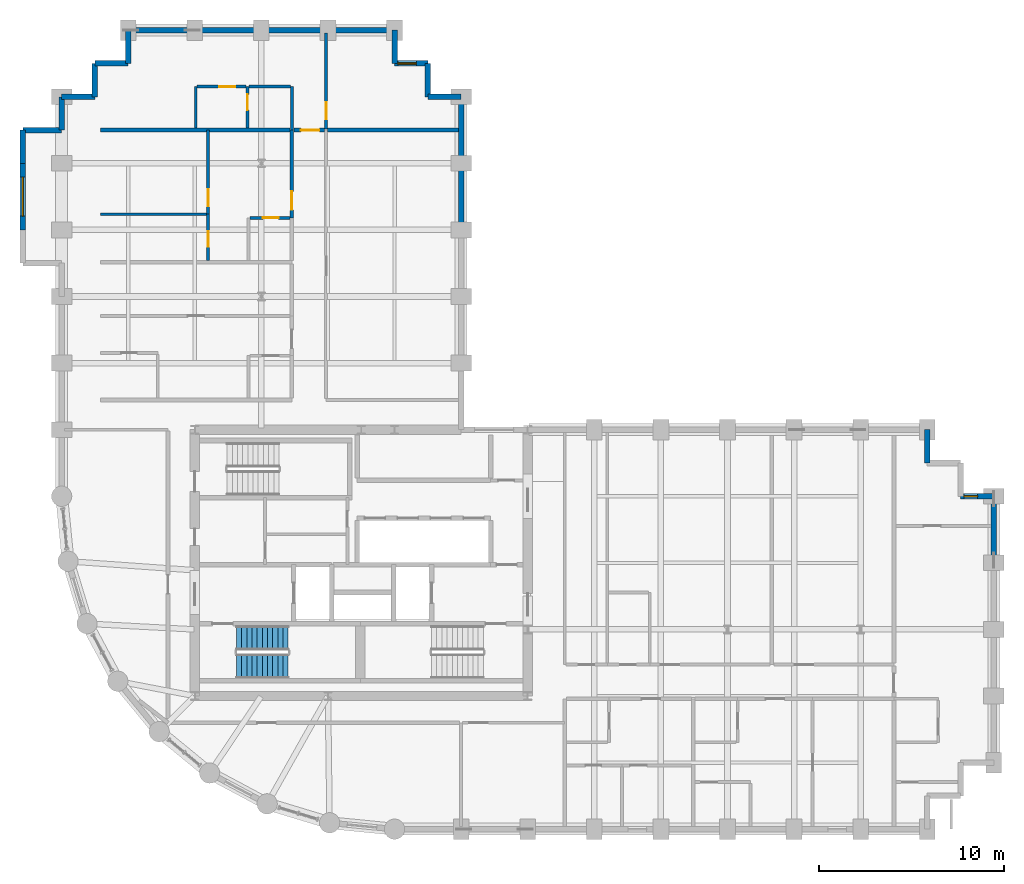
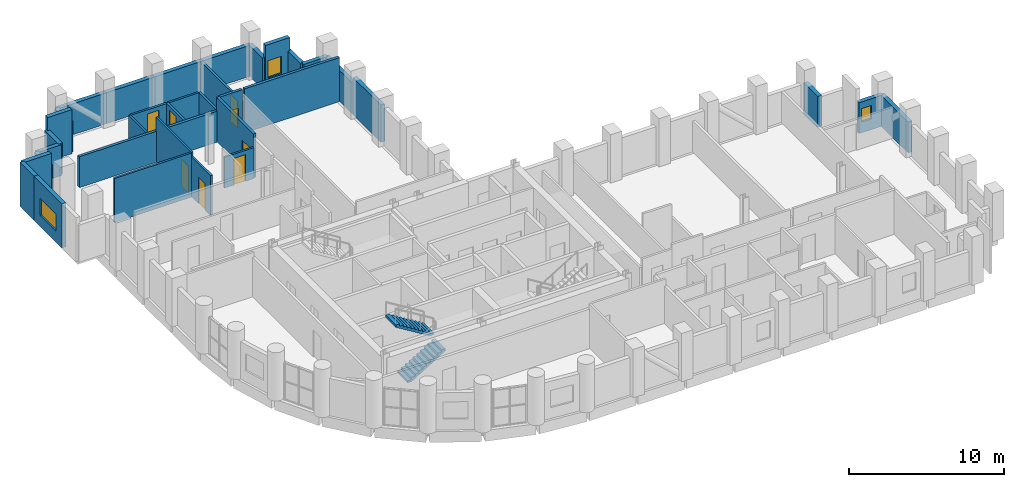
# One storey, part 11 of 13: 35 walls, 8 doors, 3 windows, 2 stair flights, 11 openings, 1 element without a shape of its own.
"""IFC4 building model written with IfcOpenShell, lengths in metres."""

from ifc_helpers import new_model, si_unit, direction, frame, frame_2d, origin, place, context, subcontext, project, spatial, polyline, rectangle, outline, extrude, material, layer, layer_set, type_object, element, fill, aggregate, save


model = new_model("IFC4")

# Units and contexts
model_context = context("Model", 3, precision=1e-05, world=origin(), true_north=direction((0.0, 1.0)))
body_context = subcontext(model_context, "Body", "Model", "MODEL_VIEW")
ifc_project = project(units=[si_unit("LENGTHUNIT", "METRE"), si_unit("AREAUNIT", "SQUARE_METRE"), si_unit("VOLUMEUNIT", "CUBIC_METRE"), si_unit("PLANEANGLEUNIT", "RADIAN"), si_unit("MASSUNIT", "GRAM", prefix="KILO")], contexts=[model_context])

# Site, building, storey
site_placement = place(None, origin())
site = spatial("IfcSite", under=ifc_project, at=site_placement, CompositionType="ELEMENT")
building_placement = place(site_placement, origin())
building = spatial("IfcBuilding", under=site, at=building_placement, Name="Solnavia Interchange Tower", CompositionType="ELEMENT")
storey_placement = place(building_placement, frame((0.0, 0.0, 123.800048828125)))
storey = spatial("IfcBuildingStorey", under=building, at=storey_placement, Name="L30", CompositionType="ELEMENT", Elevation=123.800048828125)

# Wall, opening, door
ifc_material_1 = material(Name="Gypsum Acoustic Twin-Stud & Mineral Wool", Category="gypsum")
ifc_layer_1 = layer(ifc_material_1, 0.199951171875)
ifc_layer_set_1 = layer_set([ifc_layer_1], Name="Gypsum Acoustic Twin-Stud & Mineral Wool")
wall_type_1 = type_object("IfcWallType", Name="Wall-ApartmentParty-200", PredefinedType="PARTITIONING", material=ifc_layer_set_1)
wall_1_placement = place(storey_placement, frame((19.64990234375, 36.64990234375, 0.0), z_axis=(0.0, 0.0, 1.0), x_axis=(0.0, 1.0, 0.0)))
wall_1 = element("IfcWall", 1, at=wall_1_placement, inside=storey, type_object=wall_type_1, Name="PTW-L30-55 Interior partition wall", PredefinedType="PARTITIONING", context=body_context, shape_type="SweptSolid", body=[
    extrude(rectangle(XDim=4.75, YDim=0.199951171875, at=frame_2d((2.375, 0.0))), origin(), (0.0, 0.0, 1.0), 3.46484375),
])
opening_1_placement = place(wall_1_placement, frame((0.43994140625, 0.0, 0.0)))
opening_1 = element("IfcOpeningElement", 2, at=opening_1_placement, cuts=wall_1, Name="Opening DR-06", PredefinedType="OPENING", context=body_context, shape_type="SweptSolid", body=[
    extrude(rectangle(XDim=1.0, YDim=2.10009765625, at=frame_2d((0.5, 1.050048828125))), frame((0.0, 0.10986328125, 0.0), z_axis=(0.0, -1.0, 0.0), x_axis=(1.0, 0.0, 0.0)), (0.0, 0.0, 1.0), 0.219970703125),
])
ifc_material_2 = material(Name="Engineered Timber Acoustic Fire Door", Category="wood")
door_type_1 = type_object("IfcDoorType", Name="Door-FlatEntry-1000x2100", OperationType="SINGLE_SWING_LEFT", PredefinedType="DOOR", material=ifc_material_2)
door_1_placement = place(opening_1_placement, origin())
door_1 = element("IfcDoor", 3, at=door_1_placement, inside=storey, type_object=door_type_1, Name="DR-L30-25 Interior room door", OperationType="SINGLE_SWING_RIGHT", OverallHeight=2.10009765625, OverallWidth=1.0, PredefinedType="DOOR", context=body_context, shape_type="SweptSolid", body=[
    extrude(rectangle(XDim=1.0, YDim=2.10009765625, at=frame_2d((0.5, 1.050048828125))), frame((0.0, 0.02490234375, 0.0), z_axis=(0.0, -1.0, 0.0), x_axis=(1.0, 0.0, 0.0)), (0.0, 0.0, 1.0), 0.050048828125),
])
fill(opening_1, door_1)

# Walls
wall_2_placement = place(storey_placement, frame((9.300048828125, 41.39990234375, 0.0), z_axis=(0.0, 0.0, 1.0), x_axis=(1.0, 0.0, 0.0)))
element("IfcWall", 4, at=wall_2_placement, inside=storey, type_object=wall_type_1, Name="PTW-L30-61 Interior partition wall", PredefinedType="PARTITIONING", context=body_context, shape_type="SweptSolid", body=[
    extrude(rectangle(XDim=10.245849609375, YDim=0.199951171875, at=frame_2d((5.123046875, 0.0))), origin(), (0.0, 0.0, 1.0), 2.429931640625),
])
wall_3_placement = place(storey_placement, frame((21.5791015625, 41.39990234375, 0.0), z_axis=(0.0, 0.0, 1.0), x_axis=(1.0, 0.0, 0.0)))
element("IfcWall", 5, at=wall_3_placement, inside=storey, type_object=wall_type_1, Name="PTW-L30-62 Interior partition wall", PredefinedType="PARTITIONING", context=body_context, shape_type="SweptSolid", body=[
    extrude(rectangle(XDim=7.06689453125, YDim=0.199951171875, at=frame_2d((3.533447265625, 0.0))), origin(), (0.0, 0.0, 1.0), 3.46484375),
])

# Wall, opening, door
wall_4_placement = place(storey_placement, frame((19.75390625, 41.39990234375, 0.0), z_axis=(0.0, 0.0, 1.0), x_axis=(1.0, 0.0, 0.0)))
wall_4 = element("IfcWall", 6, at=wall_4_placement, inside=storey, type_object=wall_type_1, Name="PTW-L30-63 Interior partition wall", PredefinedType="PARTITIONING", context=body_context, shape_type="SweptSolid", body=[
    extrude(rectangle(XDim=1.6669921875, YDim=0.199951171875, at=frame_2d((0.83349609375, 0.0))), origin(), (0.0, 0.0, 1.0), 3.46484375),
])
opening_2_placement = place(wall_4_placement, frame((0.3798828125, 0.0, 0.0)))
opening_2 = element("IfcOpeningElement", 7, at=opening_2_placement, cuts=wall_4, Name="Opening DR-06", PredefinedType="OPENING", context=body_context, shape_type="SweptSolid", body=[
    extrude(rectangle(XDim=1.0, YDim=2.10009765625, at=frame_2d((0.5, 1.050048828125))), frame((0.0, 0.10986328125, 0.0), z_axis=(0.0, -1.0, 0.0), x_axis=(1.0, 0.0, 0.0)), (0.0, 0.0, 1.0), 0.219970703125),
])
door_2_placement = place(opening_2_placement, origin())
door_2 = element("IfcDoor", 8, at=door_2_placement, inside=storey, type_object=door_type_1, Name="DR-L30-29 Interior room door", OperationType="SINGLE_SWING_LEFT", OverallHeight=2.10009765625, OverallWidth=1.0, PredefinedType="DOOR", context=body_context, shape_type="SweptSolid", body=[
    extrude(rectangle(XDim=1.0, YDim=2.10009765625, at=frame_2d((0.5, 1.050048828125))), frame((0.0, 0.02490234375, 0.0), z_axis=(0.0, -1.0, 0.0), x_axis=(1.0, 0.0, 0.0)), (0.0, 0.0, 1.0), 0.050048828125),
])
fill(opening_2, door_2)

# Wall
ifc_material_3 = material(Name="Concrete C40/50", Category="concrete")
ifc_layer_2 = layer(ifc_material_3, 0.300048828125)
ifc_layer_set_2 = layer_set([ifc_layer_2], Name="Concrete C40/50")
wall_type_2 = type_object("IfcWallType", Name="Wall-ExtSpandrel-300", PredefinedType="STANDARD", material=ifc_layer_set_2)
wall_5_placement = place(storey_placement, frame((57.60009765625, 21.60009765625, 0.0), z_axis=(0.0, 0.0, 1.0), x_axis=(0.0, -1.0, 0.0)))
element("IfcWall", 9, at=wall_5_placement, inside=storey, type_object=wall_type_2, Name="EXW-L30-16 Exterior precast spandrel wall", PredefinedType="STANDARD", context=body_context, shape_type="SweptSolid", body=[
    extrude(rectangle(XDim=3.60009765625, YDim=0.300048828125, at=frame_2d((1.800048828125, 0.0))), origin(), (0.0, 0.0, 1.0), 2.429931640625),
])

# Wall, opening, window
wall_6_placement = place(storey_placement, frame((55.800048828125, 21.60009765625, 0.0), z_axis=(0.0, 0.0, 1.0), x_axis=(1.0, 0.0, 0.0)))
wall_6 = element("IfcWall", 10, at=wall_6_placement, inside=storey, type_object=wall_type_2, Name="EXW-L30-17 Exterior precast spandrel wall", PredefinedType="STANDARD", context=body_context, shape_type="SweptSolid", body=[
    extrude(rectangle(XDim=1.800048828125, YDim=0.300048828125, at=frame_2d((0.89990234375, 0.0))), origin(), (0.0, 0.0, 1.0), 2.429931640625),
])
opening_3_placement = place(wall_6_placement, frame((0.179931640625, 0.0, 0.85009765625)))
opening_3 = element("IfcOpeningElement", 11, at=opening_3_placement, cuts=wall_6, Name="Opening WIN-08", PredefinedType="OPENING", context=body_context, shape_type="SweptSolid", body=[
    extrude(rectangle(XDim=0.75, YDim=1.050048828125, at=frame_2d((0.375, 0.52490234375))), frame((0.0, 0.16015625, 0.0), z_axis=(0.0, -1.0, 0.0), x_axis=(1.0, 0.0, 0.0)), (0.0, 0.0, 1.0), 0.320068359375),
])
ifc_material_4 = material(Name="Thermal-Break Aluminium & Low-E Glass", Category="aluminium")
window_type_1 = type_object("IfcWindowType", Name="Window-Bedroom-750x1050", PartitioningType="SINGLE_PANEL", PredefinedType="WINDOW", material=ifc_material_4)
window_1_placement = place(opening_3_placement, origin())
window_1 = element("IfcWindow", 12, at=window_1_placement, inside=storey, type_object=window_type_1, Name="WIN-L30-DW03 Dwelling bedroom window", OverallHeight=1.050048828125, OverallWidth=0.75, PartitioningType="SINGLE_PANEL", PredefinedType="WINDOW", context=body_context, shape_type="SweptSolid", body=[
    extrude(rectangle(XDim=0.75, YDim=1.050048828125, at=frame_2d((0.375, 0.52490234375))), frame((0.0, 0.030029296875, 0.0), z_axis=(0.0, -1.0, 0.0), x_axis=(1.0, 0.0, 0.0)), (0.0, 0.0, 1.0), 0.06005859375),
])
fill(opening_3, window_1)

# Walls
wall_7_placement = place(storey_placement, frame((54.0, 25.199951171875, 0.0), z_axis=(0.0, 0.0, 1.0), x_axis=(0.0, -1.0, 0.0)))
element("IfcWall", 13, at=wall_7_placement, inside=storey, type_object=wall_type_2, Name="EXW-L30-20 Exterior precast spandrel wall", PredefinedType="STANDARD", context=body_context, shape_type="SweptSolid", body=[
    extrude(rectangle(XDim=1.800048828125, YDim=0.300048828125, at=frame_2d((0.89990234375, 0.0))), origin(), (0.0, 0.0, 1.0), 2.429931640625),
])
wall_8_placement = place(storey_placement, frame((28.800048828125, 39.60009765625, 0.0), z_axis=(0.0, 0.0, 1.0), x_axis=(0.0, -1.0, 0.0)))
element("IfcWall", 14, at=wall_8_placement, inside=storey, type_object=wall_type_2, Name="EXW-L30-31 Exterior precast spandrel wall", PredefinedType="STANDARD", context=body_context, shape_type="SweptSolid", body=[
    extrude(rectangle(XDim=3.60009765625, YDim=0.300048828125, at=frame_2d((1.800048828125, 0.0))), origin(), (0.0, 0.0, 1.0), 2.929931640625),
])
wall_9_placement = place(storey_placement, frame((28.800048828125, 43.199951171875, 0.0), z_axis=(0.0, 0.0, 1.0), x_axis=(0.0, -1.0, 0.0)))
element("IfcWall", 15, at=wall_9_placement, inside=storey, type_object=wall_type_2, Name="EXW-L30-32 Exterior precast spandrel wall", PredefinedType="STANDARD", context=body_context, shape_type="SweptSolid", body=[
    extrude(rectangle(XDim=3.599853515625, YDim=0.300048828125, at=frame_2d((1.7998046875, 0.0))), origin(), (0.0, 0.0, 1.0), 2.429931640625),
])
for number, where, z_axis, x_axis, name in (
    (16, (27.0, 43.199951171875, 0.0), (0.0, 0.0, 1.0), (1.0, 0.0, 0.0), "EXW-L30-33 Exterior precast spandrel wall"),
    (17, (27.0, 43.199951171875, 0.0), (0.0, 0.0, 1.0), (0.0, 1.0, 0.0), "EXW-L30-34 Exterior precast spandrel wall"),
):
    element("IfcWall", number, at=place(storey_placement, frame(where, z_axis=z_axis, x_axis=x_axis)), inside=storey, type_object=wall_type_2, Name=name, PredefinedType="STANDARD", context=body_context, shape_type="SweptSolid", body=[
        extrude(rectangle(XDim=1.800048828125, YDim=0.300048828125, at=frame_2d((0.89990234375, 0.0))), origin(), (0.0, 0.0, 1.0), 2.429931640625),
    ])

# Wall, opening, window
wall_10_placement = place(storey_placement, frame((25.199951171875, 45.0, 0.0), z_axis=(0.0, 0.0, 1.0), x_axis=(1.0, 0.0, 0.0)))
wall_10 = element("IfcWall", 18, at=wall_10_placement, inside=storey, type_object=wall_type_2, Name="EXW-L30-35 Exterior precast spandrel wall", PredefinedType="STANDARD", context=body_context, shape_type="SweptSolid", body=[
    extrude(rectangle(XDim=1.800048828125, YDim=0.300048828125, at=frame_2d((0.89990234375, 0.0))), origin(), (0.0, 0.0, 1.0), 3.46484375),
])
opening_4_placement = place(wall_10_placement, frame((0.179931640625, 0.0, 0.85009765625)))
opening_4 = element("IfcOpeningElement", 19, at=opening_4_placement, cuts=wall_10, Name="Opening WIN-07", PredefinedType="OPENING", context=body_context, shape_type="SweptSolid", body=[
    extrude(rectangle(XDim=1.0, YDim=1.35009765625, at=frame_2d((0.5, 0.675048828125))), frame((0.0, 0.16015625, 0.0), z_axis=(0.0, -1.0, 0.0), x_axis=(1.0, 0.0, 0.0)), (0.0, 0.0, 1.0), 0.320068359375),
])
window_type_2 = type_object("IfcWindowType", Name="Window-Bedroom-1000x1350", PartitioningType="SINGLE_PANEL", PredefinedType="WINDOW", material=ifc_material_4)
window_2_placement = place(opening_4_placement, origin())
window_2 = element("IfcWindow", 20, at=window_2_placement, inside=storey, type_object=window_type_2, Name="WIN-L30-DW04 Dwelling bedroom window", OverallHeight=1.35009765625, OverallWidth=1.0, PartitioningType="SINGLE_PANEL", PredefinedType="WINDOW", context=body_context, shape_type="SweptSolid", body=[
    extrude(rectangle(XDim=1.0, YDim=1.35009765625, at=frame_2d((0.5, 0.675048828125))), frame((0.0, 0.030029296875, 0.0), z_axis=(0.0, -1.0, 0.0), x_axis=(1.0, 0.0, 0.0)), (0.0, 0.0, 1.0), 0.06005859375),
])
fill(opening_4, window_2)

# Walls
wall_11_placement = place(storey_placement, frame((25.199951171875, 45.0, 0.0), z_axis=(0.0, 0.0, 1.0), x_axis=(0.0, 1.0, 0.0)))
element("IfcWall", 21, at=wall_11_placement, inside=storey, type_object=wall_type_2, Name="EXW-L30-36 Exterior precast spandrel wall", PredefinedType="STANDARD", context=body_context, shape_type="SweptSolid", body=[
    extrude(rectangle(XDim=1.800048828125, YDim=0.300048828125, at=frame_2d((0.89990234375, 0.0))), origin(), (0.0, 0.0, 1.0), 2.429931640625),
])
wall_12_placement = place(storey_placement, frame((21.60009765625, 46.800048828125, 0.0), z_axis=(0.0, 0.0, 1.0), x_axis=(1.0, 0.0, 0.0)))
element("IfcWall", 22, at=wall_12_placement, inside=storey, type_object=wall_type_2, Name="EXW-L30-37 Exterior precast spandrel wall", PredefinedType="STANDARD", context=body_context, shape_type="SweptSolid", body=[
    extrude(rectangle(XDim=3.599853515625, YDim=0.300048828125, at=frame_2d((1.7998046875, 0.0))), origin(), (0.0, 0.0, 1.0), 2.429931640625),
])
for number, where, z_axis, x_axis, name in (
    (23, (18.0, 46.800048828125, 0.0), (0.0, 0.0, 1.0), (1.0, 0.0, 0.0), "EXW-L30-38 Exterior precast spandrel wall"),
    (24, (14.39990234375, 46.800048828125, 0.0), (0.0, 0.0, 1.0), (1.0, 0.0, 0.0), "EXW-L30-39 Exterior precast spandrel wall"),
):
    element("IfcWall", number, at=place(storey_placement, frame(where, z_axis=z_axis, x_axis=x_axis)), inside=storey, type_object=wall_type_2, Name=name, PredefinedType="STANDARD", context=body_context, shape_type="SweptSolid", body=[
        extrude(rectangle(XDim=3.60009765625, YDim=0.300048828125, at=frame_2d((1.800048828125, 0.0))), origin(), (0.0, 0.0, 1.0), 2.429931640625),
    ])
wall_13_placement = place(storey_placement, frame((10.800048828125, 46.800048828125, 0.0), z_axis=(0.0, 0.0, 1.0), x_axis=(1.0, 0.0, 0.0)))
element("IfcWall", 25, at=wall_13_placement, inside=storey, type_object=wall_type_2, Name="EXW-L30-40 Exterior precast spandrel wall", PredefinedType="STANDARD", context=body_context, shape_type="SweptSolid", body=[
    extrude(rectangle(XDim=3.599853515625, YDim=0.300048828125, at=frame_2d((1.7998046875, 0.0))), origin(), (0.0, 0.0, 1.0), 2.429931640625),
])
wall_14_placement = place(storey_placement, frame((10.800048828125, 45.0, 0.0), z_axis=(0.0, 0.0, 1.0), x_axis=(0.0, 1.0, 0.0)))
element("IfcWall", 26, at=wall_14_placement, inside=storey, type_object=wall_type_2, Name="EXW-L30-41 Exterior precast spandrel wall", PredefinedType="STANDARD", context=body_context, shape_type="SweptSolid", body=[
    extrude(rectangle(XDim=1.800048828125, YDim=0.300048828125, at=frame_2d((0.89990234375, 0.0))), origin(), (0.0, 0.0, 1.0), 2.429931640625),
])
wall_15_placement = place(storey_placement, frame((9.0, 45.0, 0.0), z_axis=(0.0, 0.0, 1.0), x_axis=(1.0, 0.0, 0.0)))
element("IfcWall", 27, at=wall_15_placement, inside=storey, type_object=wall_type_2, Name="EXW-L30-42 Exterior precast spandrel wall", PredefinedType="STANDARD", context=body_context, shape_type="SweptSolid", body=[
    extrude(rectangle(XDim=1.800048828125, YDim=0.300048828125, at=frame_2d((0.89990234375, 0.0))), origin(), (0.0, 0.0, 1.0), 3.46484375),
])
for number, where, z_axis, x_axis, name in (
    (28, (9.0, 43.199951171875, 0.0), (0.0, 0.0, 1.0), (0.0, 1.0, 0.0), "EXW-L30-43 Exterior precast spandrel wall"),
    (29, (7.199951171875, 43.199951171875, 0.0), (0.0, 0.0, 1.0), (1.0, 0.0, 0.0), "EXW-L30-44 Exterior precast spandrel wall"),
    (30, (7.199951171875, 41.39990234375, 0.0), (0.0, 0.0, 1.0), (0.0, 1.0, 0.0), "EXW-L30-45 Exterior precast spandrel wall"),
):
    element("IfcWall", number, at=place(storey_placement, frame(where, z_axis=z_axis, x_axis=x_axis)), inside=storey, type_object=wall_type_2, Name=name, PredefinedType="STANDARD", context=body_context, shape_type="SweptSolid", body=[
        extrude(rectangle(XDim=1.800048828125, YDim=0.300048828125, at=frame_2d((0.89990234375, 0.0))), origin(), (0.0, 0.0, 1.0), 2.429931640625),
    ])
wall_16_placement = place(storey_placement, frame((5.10009765625, 41.39990234375, 0.0), z_axis=(0.0, 0.0, 1.0), x_axis=(1.0, 0.0, 0.0)))
element("IfcWall", 31, at=wall_16_placement, inside=storey, type_object=wall_type_2, Name="EXW-L30-46 Exterior precast spandrel wall", PredefinedType="STANDARD", context=body_context, shape_type="SweptSolid", body=[
    extrude(rectangle(XDim=2.099853515625, YDim=0.300048828125, at=frame_2d((1.0498046875, 0.0))), origin(), (0.0, 0.0, 1.0), 3.46484375),
])
wall_17_placement = place(storey_placement, frame((5.10009765625, 39.60009765625, 0.0), z_axis=(0.0, 0.0, 1.0), x_axis=(0.0, 1.0, 0.0)))
element("IfcWall", 32, at=wall_17_placement, inside=storey, type_object=wall_type_2, Name="EXW-L30-47 Exterior precast spandrel wall", PredefinedType="STANDARD", context=body_context, shape_type="SweptSolid", body=[
    extrude(rectangle(XDim=1.7998046875, YDim=0.300048828125, at=frame_2d((0.89990234375, 0.0))), origin(), (0.0, 0.0, 1.0), 3.46484375),
])

# Wall, opening, window
wall_18_placement = place(storey_placement, frame((5.10009765625, 36.0, 0.0), z_axis=(0.0, 0.0, 1.0), x_axis=(0.0, 1.0, 0.0)))
wall_18 = element("IfcWall", 33, at=wall_18_placement, inside=storey, type_object=wall_type_2, Name="EXW-L30-48 Exterior precast spandrel wall", PredefinedType="STANDARD", context=body_context, shape_type="SweptSolid", body=[
    extrude(rectangle(XDim=3.60009765625, YDim=0.300048828125, at=frame_2d((1.800048828125, 0.0))), origin(), (0.0, 0.0, 1.0), 3.46484375),
])
opening_5_placement = place(wall_18_placement, frame((0.75, 0.0, 0.85009765625)))
opening_5 = element("IfcOpeningElement", 34, at=opening_5_placement, cuts=wall_18, Name="Opening WIN-01", PredefinedType="OPENING", context=body_context, shape_type="SweptSolid", body=[
    extrude(rectangle(XDim=2.10009765625, YDim=1.35009765625, at=frame_2d((1.050048828125, 0.675048828125))), frame((0.0, 0.16015625, 0.0), z_axis=(0.0, -1.0, 0.0), x_axis=(1.0, 0.0, 0.0)), (0.0, 0.0, 1.0), 0.320068359375),
])
window_type_3 = type_object("IfcWindowType", Name="Window-Ribbon-2100x1350", PartitioningType="SINGLE_PANEL", PredefinedType="WINDOW", material=ifc_material_4)
window_3_placement = place(opening_5_placement, origin())
window_3 = element("IfcWindow", 35, at=window_3_placement, inside=storey, type_object=window_type_3, Name="WIN-L30-48 Facade ribbon window", OverallHeight=1.35009765625, OverallWidth=2.10009765625, PartitioningType="SINGLE_PANEL", PredefinedType="WINDOW", context=body_context, shape_type="SweptSolid", body=[
    extrude(rectangle(XDim=2.10009765625, YDim=1.35009765625, at=frame_2d((1.050048828125, 0.675048828125))), frame((0.0, 0.030029296875, 0.0), z_axis=(0.0, -1.0, 0.0), x_axis=(1.0, 0.0, 0.0)), (0.0, 0.0, 1.0), 0.06005859375),
])
fill(opening_5, window_3)

# Wall, opening, door
ifc_material_5 = material(Name="Gypsum Plasterboard & Steel Stud", Category="steel")
ifc_layer_3 = layer(ifc_material_5, 0.14990234375)
ifc_layer_set_3 = layer_set([ifc_layer_3], Name="Gypsum Plasterboard & Steel Stud")
wall_type_3 = type_object("IfcWallType", Name="Wall-Partition-150", PredefinedType="PARTITIONING", material=ifc_layer_set_3)
wall_19_placement = place(storey_placement, frame((15.1201171875, 36.85009765625, 0.0), z_axis=(0.0, 0.0, 1.0), x_axis=(0.0, 1.0, 0.0)))
wall_19 = element("IfcWall", 36, at=wall_19_placement, inside=storey, type_object=wall_type_3, Name="PTW-L30-56 Interior partition wall", PredefinedType="PARTITIONING", context=body_context, shape_type="SweptSolid", body=[
    extrude(rectangle(XDim=4.5498046875, YDim=0.14990234375, at=frame_2d((2.27490234375, 0.0))), origin(), (0.0, 0.0, 1.0), 3.46484375),
])
opening_6_placement = place(wall_19_placement, frame((0.43896484375, 0.0, 0.0)))
opening_6 = element("IfcOpeningElement", 37, at=opening_6_placement, cuts=wall_19, Name="Opening DR-09", PredefinedType="OPENING", context=body_context, shape_type="SweptSolid", body=[
    extrude(rectangle(XDim=0.89990234375, YDim=2.10009765625, at=frame_2d((0.449951171875, 1.050048828125))), frame((0.0, 0.0849609375, 0.0), z_axis=(0.0, -1.0, 0.0), x_axis=(1.0, 0.0, 0.0)), (0.0, 0.0, 1.0), 0.169921875),
])
ifc_material_6 = material(Name="Engineered Oak Veneer Door", Category="wood")
door_type_2 = type_object("IfcDoorType", Name="Door-Internal-900x2100", OperationType="SINGLE_SWING_LEFT", PredefinedType="DOOR", material=ifc_material_6)
door_3_placement = place(opening_6_placement, origin())
door_3 = element("IfcDoor", 38, at=door_3_placement, inside=storey, type_object=door_type_2, Name="DR-L30-26 Interior room door", OperationType="SINGLE_SWING_LEFT", OverallHeight=2.10009765625, OverallWidth=0.89990234375, PredefinedType="DOOR", context=body_context, shape_type="SweptSolid", body=[
    extrude(rectangle(XDim=0.89990234375, YDim=2.10009765625, at=frame_2d((0.449951171875, 1.050048828125))), frame((0.0, 0.02490234375, 0.0), z_axis=(0.0, -1.0, 0.0), x_axis=(1.0, 0.0, 0.0)), (0.0, 0.0, 1.0), 0.050048828125),
])
fill(opening_6, door_3)

wall_20_placement = place(storey_placement, frame((21.5, 41.446044921875, 0.0), z_axis=(0.0, 0.0, 1.0), x_axis=(0.0, 1.0, 0.0)))
wall_20 = element("IfcWall", 39, at=wall_20_placement, inside=storey, type_object=wall_type_3, Name="PTW-L30-67 Interior partition wall", PredefinedType="PARTITIONING", context=body_context, shape_type="SweptSolid", body=[
    extrude(rectangle(XDim=5.199951171875, YDim=0.14990234375, at=frame_2d((2.60009765625, 0.0))), origin(), (0.0, 0.0, 1.0), 2.429931640625),
])
opening_7_placement = place(wall_20_placement, frame((0.550048828125, 0.0, 0.0)))
opening_7 = element("IfcOpeningElement", 40, at=opening_7_placement, cuts=wall_20, Name="Opening DR-09", PredefinedType="OPENING", context=body_context, shape_type="SweptSolid", body=[
    extrude(rectangle(XDim=0.89990234375, YDim=2.10009765625, at=frame_2d((0.449951171875, 1.050048828125))), frame((0.0, 0.0849609375, 0.0), z_axis=(0.0, -1.0, 0.0), x_axis=(1.0, 0.0, 0.0)), (0.0, 0.0, 1.0), 0.169921875),
])
door_4_placement = place(opening_7_placement, origin())
door_4 = element("IfcDoor", 41, at=door_4_placement, inside=storey, type_object=door_type_2, Name="DR-L30-31 Interior room door", OperationType="SINGLE_SWING_RIGHT", OverallHeight=2.10009765625, OverallWidth=0.89990234375, PredefinedType="DOOR", context=body_context, shape_type="SweptSolid", body=[
    extrude(rectangle(XDim=0.89990234375, YDim=2.10009765625, at=frame_2d((0.449951171875, 1.050048828125))), frame((0.0, 0.02490234375, 0.0), z_axis=(0.0, -1.0, 0.0), x_axis=(1.0, 0.0, 0.0)), (0.0, 0.0, 1.0), 0.050048828125),
])
fill(opening_7, door_4)

ifc_material_7 = material(Name="Moisture-Resistant Gypsum & Steel Stud", Category="steel")
ifc_layer_4 = layer(ifc_material_7, 0.14990234375)
ifc_layer_set_4 = layer_set([ifc_layer_4], Name="Moisture-Resistant Gypsum & Steel Stud")
wall_type_4 = type_object("IfcWallType", Name="Wall-WetRoom-150", PredefinedType="PARTITIONING", material=ifc_layer_set_4)
wall_21_placement = place(storey_placement, frame((17.37890625, 36.64990234375, 0.0), z_axis=(0.0, 0.0, 1.0), x_axis=(1.0, 0.0, 0.0)))
wall_21 = element("IfcWall", 42, at=wall_21_placement, inside=storey, type_object=wall_type_4, Name="PTW-L30-54 Interior partition wall", PredefinedType="PARTITIONING", context=body_context, shape_type="SweptSolid", body=[
    extrude(rectangle(XDim=2.1669921875, YDim=0.14990234375, at=frame_2d((1.08349609375, 0.0))), origin(), (0.0, 0.0, 1.0), 2.429931640625),
])
opening_8_placement = place(wall_21_placement, frame((0.700927734375, 0.0, 0.0)))
opening_8 = element("IfcOpeningElement", 43, at=opening_8_placement, cuts=wall_21, Name="Opening DR-10", PredefinedType="OPENING", context=body_context, shape_type="SweptSolid", body=[
    extrude(rectangle(XDim=0.85009765625, YDim=2.10009765625, at=frame_2d((0.425048828125, 1.050048828125))), frame((0.0, 0.0849609375, 0.0), z_axis=(0.0, -1.0, 0.0), x_axis=(1.0, 0.0, 0.0)), (0.0, 0.0, 1.0), 0.169921875),
])
ifc_material_8 = material(Name="Moisture-Resistant Timber Door", Category="wood")
door_type_3 = type_object("IfcDoorType", Name="Door-Bathroom-850x2100", OperationType="SINGLE_SWING_RIGHT", PredefinedType="DOOR", material=ifc_material_8)
door_5_placement = place(opening_8_placement, origin())
door_5 = element("IfcDoor", 44, at=door_5_placement, inside=storey, type_object=door_type_3, Name="DR-L30-24 Interior room door", OperationType="SINGLE_SWING_RIGHT", OverallHeight=2.10009765625, OverallWidth=0.85009765625, PredefinedType="DOOR", context=body_context, shape_type="SweptSolid", body=[
    extrude(rectangle(XDim=0.85009765625, YDim=2.10009765625, at=frame_2d((0.425048828125, 1.050048828125))), frame((0.0, 0.02490234375, 0.0), z_axis=(0.0, -1.0, 0.0), x_axis=(1.0, 0.0, 0.0)), (0.0, 0.0, 1.0), 0.050048828125),
])
fill(opening_8, door_5)

wall_22_placement = place(storey_placement, frame((15.1201171875, 34.35400390625, 0.0), z_axis=(0.0, 0.0, 1.0), x_axis=(0.0, 1.0, 0.0)))
wall_22 = element("IfcWall", 45, at=wall_22_placement, inside=storey, type_object=wall_type_4, Name="PTW-L30-57 Interior partition wall", PredefinedType="PARTITIONING", context=body_context, shape_type="SweptSolid", body=[
    extrude(rectangle(XDim=2.49609375, YDim=0.14990234375, at=frame_2d((1.248046875, 0.0))), origin(), (0.0, 0.0, 1.0), 3.14990234375),
])
opening_9_placement = place(wall_22_placement, frame((0.73095703125, 0.0, 0.0)))
opening_9 = element("IfcOpeningElement", 46, at=opening_9_placement, cuts=wall_22, Name="Opening DR-10", PredefinedType="OPENING", context=body_context, shape_type="SweptSolid", body=[
    extrude(rectangle(XDim=0.85009765625, YDim=2.10009765625, at=frame_2d((0.425048828125, 1.050048828125))), frame((0.0, 0.0849609375, 0.0), z_axis=(0.0, -1.0, 0.0), x_axis=(1.0, 0.0, 0.0)), (0.0, 0.0, 1.0), 0.169921875),
])
door_6_placement = place(opening_9_placement, origin())
door_6 = element("IfcDoor", 47, at=door_6_placement, inside=storey, type_object=door_type_3, Name="DR-L30-27 Interior room door", OperationType="SINGLE_SWING_RIGHT", OverallHeight=2.10009765625, OverallWidth=0.85009765625, PredefinedType="DOOR", context=body_context, shape_type="SweptSolid", body=[
    extrude(rectangle(XDim=0.85009765625, YDim=2.10009765625, at=frame_2d((0.425048828125, 1.050048828125))), frame((0.0, 0.02490234375, 0.0), z_axis=(0.0, -1.0, 0.0), x_axis=(1.0, 0.0, 0.0)), (0.0, 0.0, 1.0), 0.050048828125),
])
fill(opening_9, door_6)

# Walls
wall_23_placement = place(storey_placement, frame((9.300048828125, 36.85009765625, 0.0), z_axis=(0.0, 0.0, 1.0), x_axis=(1.0, 0.0, 0.0)))
element("IfcWall", 48, at=wall_23_placement, inside=storey, type_object=wall_type_4, Name="PTW-L30-58 Interior partition wall", PredefinedType="PARTITIONING", context=body_context, shape_type="SweptSolid", body=[
    extrude(rectangle(XDim=5.740966796875, YDim=0.14990234375, at=frame_2d((2.87060546875, 0.0))), origin(), (0.0, 0.0, 1.0), 3.46484375),
])
wall_24_placement = place(storey_placement, frame((19.64990234375, 41.39990234375, 0.0), z_axis=(0.0, 0.0, 1.0), x_axis=(0.0, 1.0, 0.0)))
element("IfcWall", 49, at=wall_24_placement, inside=storey, type_object=wall_type_4, Name="PTW-L30-64 Interior partition wall", PredefinedType="PARTITIONING", context=body_context, shape_type="SweptSolid", body=[
    extrude(rectangle(XDim=2.35009765625, YDim=0.14990234375, at=frame_2d((1.175048828125, 0.0))), origin(), (0.0, 0.0, 1.0), 2.429931640625),
])

# Wall, opening, door
wall_25_placement = place(storey_placement, frame((17.25, 41.50390625, 0.0), z_axis=(0.0, 0.0, 1.0), x_axis=(0.0, 1.0, 0.0)))
wall_25 = element("IfcWall", 50, at=wall_25_placement, inside=storey, type_object=wall_type_4, Name="PTW-L30-65 Interior partition wall", PredefinedType="PARTITIONING", context=body_context, shape_type="SweptSolid", body=[
    extrude(rectangle(XDim=2.24609375, YDim=0.14990234375, at=frame_2d((1.123046875, 0.0))), origin(), (0.0, 0.0, 1.0), 2.429931640625),
])
opening_10_placement = place(wall_25_placement, frame((0.97607421875, 0.0, 0.0)))
opening_10 = element("IfcOpeningElement", 51, at=opening_10_placement, cuts=wall_25, Name="Opening DR-10", PredefinedType="OPENING", context=body_context, shape_type="SweptSolid", body=[
    extrude(rectangle(XDim=0.85009765625, YDim=2.10009765625, at=frame_2d((0.425048828125, 1.050048828125))), frame((0.0, 0.0849609375, 0.0), z_axis=(0.0, -1.0, 0.0), x_axis=(1.0, 0.0, 0.0)), (0.0, 0.0, 1.0), 0.169921875),
])
door_7_placement = place(opening_10_placement, origin())
door_7 = element("IfcDoor", 52, at=door_7_placement, inside=storey, type_object=door_type_3, Name="DR-L30-30 Interior room door", OperationType="SINGLE_SWING_LEFT", OverallHeight=2.10009765625, OverallWidth=0.85009765625, PredefinedType="DOOR", context=body_context, shape_type="SweptSolid", body=[
    extrude(rectangle(XDim=0.85009765625, YDim=2.10009765625, at=frame_2d((0.425048828125, 1.050048828125))), frame((0.0, 0.02490234375, 0.0), z_axis=(0.0, -1.0, 0.0), x_axis=(1.0, 0.0, 0.0)), (0.0, 0.0, 1.0), 0.050048828125),
])
fill(opening_10, door_7)

# Walls
wall_26_placement = place(storey_placement, frame((17.3291015625, 43.75, 0.0), z_axis=(0.0, 0.0, 1.0), x_axis=(1.0, 0.0, 0.0)))
element("IfcWall", 53, at=wall_26_placement, inside=storey, type_object=wall_type_4, Name="PTW-L30-66 Interior partition wall", PredefinedType="PARTITIONING", context=body_context, shape_type="SweptSolid", body=[
    extrude(rectangle(XDim=2.241943359375, YDim=0.14990234375, at=frame_2d((1.12109375, 0.0))), origin(), (0.0, 0.0, 1.0), 2.429931640625),
])
wall_27_placement = place(storey_placement, frame((14.449951171875, 41.50390625, 0.0), z_axis=(0.0, 0.0, 1.0), x_axis=(0.0, 1.0, 0.0)))
element("IfcWall", 54, at=wall_27_placement, inside=storey, type_object=wall_type_4, Name="PTW-L30-68 Interior partition wall", PredefinedType="PARTITIONING", context=body_context, shape_type="SweptSolid", body=[
    extrude(rectangle(XDim=2.24609375, YDim=0.14990234375, at=frame_2d((1.123046875, 0.0))), origin(), (0.0, 0.0, 1.0), 2.429931640625),
])

# Wall, opening, door
wall_28_placement = place(storey_placement, frame((14.529052734375, 43.75, 0.0), z_axis=(0.0, 0.0, 1.0), x_axis=(1.0, 0.0, 0.0)))
wall_28 = element("IfcWall", 55, at=wall_28_placement, inside=storey, type_object=wall_type_4, Name="PTW-L30-69 Interior partition wall", PredefinedType="PARTITIONING", context=body_context, shape_type="SweptSolid", body=[
    extrude(rectangle(XDim=2.641845703125, YDim=0.14990234375, at=frame_2d((1.32080078125, 0.0))), origin(), (0.0, 0.0, 1.0), 2.429931640625),
])
opening_11_placement = place(wall_28_placement, frame((1.2041015625, 0.0, 0.0)))
opening_11 = element("IfcOpeningElement", 56, at=opening_11_placement, cuts=wall_28, Name="Opening DR-10", PredefinedType="OPENING", context=body_context, shape_type="SweptSolid", body=[
    extrude(rectangle(XDim=0.85009765625, YDim=2.10009765625, at=frame_2d((0.425048828125, 1.050048828125))), frame((0.0, 0.0849609375, 0.0), z_axis=(0.0, -1.0, 0.0), x_axis=(1.0, 0.0, 0.0)), (0.0, 0.0, 1.0), 0.169921875),
])
door_8_placement = place(opening_11_placement, origin())
door_8 = element("IfcDoor", 57, at=door_8_placement, inside=storey, type_object=door_type_3, Name="DR-L30-32 Interior room door", OperationType="SINGLE_SWING_LEFT", OverallHeight=2.10009765625, OverallWidth=0.85009765625, PredefinedType="DOOR", context=body_context, shape_type="SweptSolid", body=[
    extrude(rectangle(XDim=0.85009765625, YDim=2.10009765625, at=frame_2d((0.425048828125, 1.050048828125))), frame((0.0, 0.02490234375, 0.0), z_axis=(0.0, -1.0, 0.0), x_axis=(1.0, 0.0, 0.0)), (0.0, 0.0, 1.0), 0.050048828125),
])
fill(opening_11, door_8)

# Stair, stair flights
stair_type = type_object("IfcStairType", Name="Stair-Dogleg-RC", PredefinedType="HALF_TURN_STAIR", material=ifc_material_3)
stair_placement = place(storey_placement, origin())
stair = element("IfcStair", 58, at=stair_placement, inside=storey, type_object=stair_type, Name="L30 Core exit stair 1", PredefinedType="HALF_TURN_STAIR")
stair_flight_type = type_object("IfcStairFlightType", Name="StairFlight-RC-150", PredefinedType="STRAIGHT", material=ifc_material_3)
stair_flight_1_placement = place(storey_placement, frame((16.64990234375, 12.409912109375, 0.0), z_axis=(0.0, 0.0, 1.0), x_axis=(1.0, 0.0, 0.0)))
stair_flight_1 = element("IfcStairFlight", 59, at=stair_flight_1_placement, type_object=stair_flight_type, Name="ST-1 flight 1", NumberOfRisers=11, NumberOfTreads=10, PredefinedType="STRAIGHT", RiserHeight=0.172727273, TreadLength=0.28, context=body_context, shape_type="SweptSolid", body=[
    extrude(outline(polyline([(0.0, 0.0), (0.0, 0.172607421875), (0.280029296875, 0.172607421875), (0.280029296875, 0.345458984375), (0.56005859375, 0.345458984375), (0.56005859375, 0.51806640625), (0.840087890625, 0.51806640625), (0.840087890625, 0.69091796875), (1.1201171875, 0.69091796875), (1.1201171875, 0.863525390625), (1.39990234375, 0.863525390625), (1.39990234375, 1.036376953125), (1.679931640625, 1.036376953125), (1.679931640625, 1.208984375), (1.9599609375, 1.208984375), (1.9599609375, 1.3818359375), (2.239990234375, 1.3818359375), (2.239990234375, 1.554443359375), (2.52001953125, 1.554443359375), (2.52001953125, 1.727294921875), (2.800048828125, 1.727294921875), (2.800048828125, 1.89990234375), (2.800048828125, 1.551025390625), (0.285400390625, 0.0), (0.0, 0.0)])), frame((0.0, 0.66015625, 0.0), z_axis=(0.0, -1.0, 0.0), x_axis=(1.0, 0.0, 0.0)), (0.0, 0.0, 1.0), 1.320068359375),
])
stair_flight_2_placement = place(storey_placement, frame((19.449951171875, 13.929931640625, 1.89990234375), z_axis=(0.0, 0.0, 1.0), x_axis=(-1.0, 0.0, 0.0)))
stair_flight_2 = element("IfcStairFlight", 60, at=stair_flight_2_placement, type_object=stair_flight_type, Name="ST-1 flight 2", NumberOfRisers=11, NumberOfTreads=10, PredefinedType="STRAIGHT", RiserHeight=0.172727273, TreadLength=0.28, context=body_context, shape_type="SweptSolid", body=[
    extrude(outline(polyline([(0.0, 0.0), (0.0, 0.172607421875), (0.280029296875, 0.172607421875), (0.280029296875, 0.345458984375), (0.56005859375, 0.345458984375), (0.56005859375, 0.51806640625), (0.840087890625, 0.51806640625), (0.840087890625, 0.69091796875), (1.1201171875, 0.69091796875), (1.1201171875, 0.863525390625), (1.39990234375, 0.863525390625), (1.39990234375, 1.036376953125), (1.679931640625, 1.036376953125), (1.679931640625, 1.208984375), (1.9599609375, 1.208984375), (1.9599609375, 1.3818359375), (2.239990234375, 1.3818359375), (2.239990234375, 1.554443359375), (2.52001953125, 1.554443359375), (2.52001953125, 1.727294921875), (2.800048828125, 1.727294921875), (2.800048828125, 1.89990234375), (2.800048828125, 1.551025390625), (0.285400390625, 0.0), (0.0, 0.0)])), frame((0.0, 0.66015625, 0.0), z_axis=(0.0, -1.0, 0.0), x_axis=(1.0, 0.0, 0.0)), (0.0, 0.0, 1.0), 1.320068359375),
])
aggregate(stair, [stair_flight_1, stair_flight_2])

save(model, "model.ifc")
